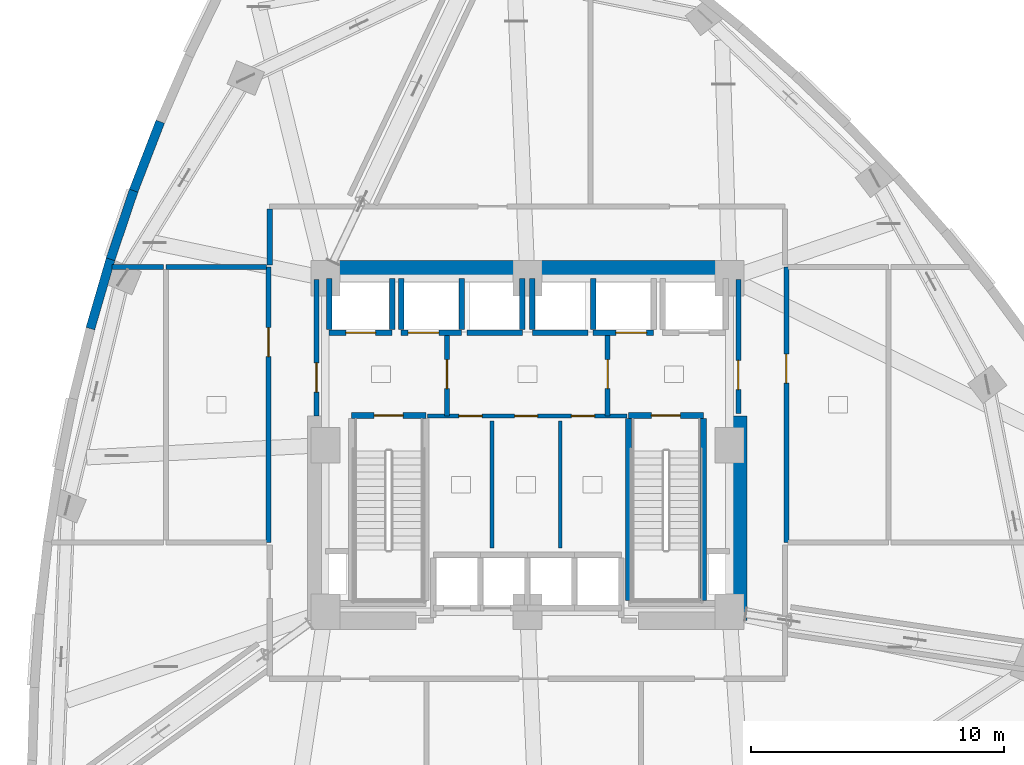
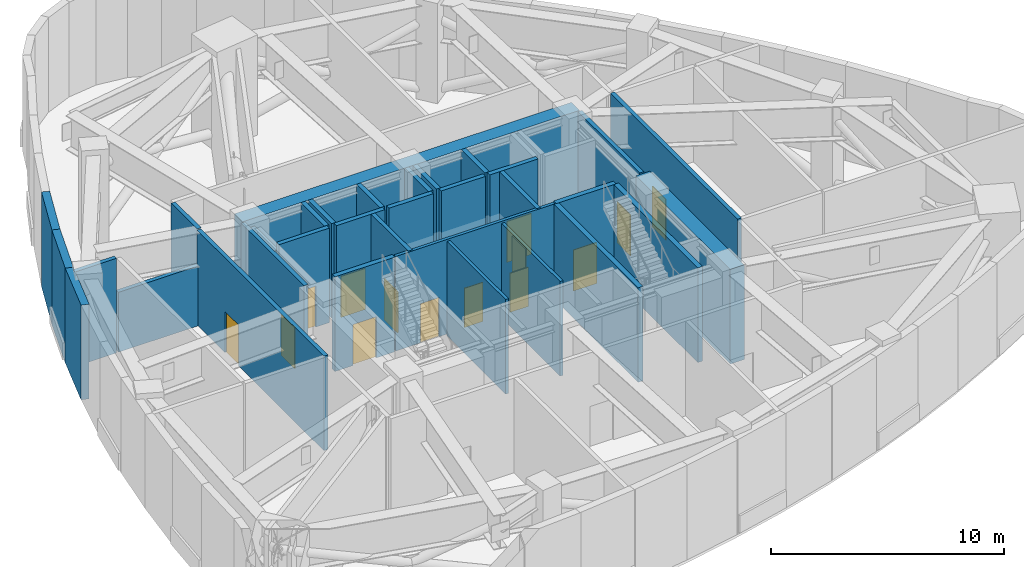
# One storey, part 7 of 13: 33 walls, 14 doors, 14 openings.
"""IFC4 building model written with IfcOpenShell, lengths in metres."""

from ifc_helpers import new_model, si_unit, direction, frame, frame_2d, origin, place, context, subcontext, project, spatial, rectangle, extrude, material, layer, layer_set, type_object, element, fill, save


model = new_model("IFC4")

# Units and contexts
model_context = context("Model", 3, precision=1e-05, world=origin(), true_north=direction((0.0, 1.0)))
body_context = subcontext(model_context, "Body", "Model", "MODEL_VIEW")
ifc_project = project(units=[si_unit("LENGTHUNIT", "METRE"), si_unit("AREAUNIT", "SQUARE_METRE"), si_unit("VOLUMEUNIT", "CUBIC_METRE"), si_unit("PLANEANGLEUNIT", "RADIAN"), si_unit("MASSUNIT", "GRAM", prefix="KILO")], contexts=[model_context])

# Site, building, storey
site_placement = place(None, origin())
site = spatial("IfcSite", under=ifc_project, at=site_placement, CompositionType="ELEMENT")
building_placement = place(site_placement, origin())
building = spatial("IfcBuilding", under=site, at=building_placement, Name="Ndelora Gate Hotel", CompositionType="ELEMENT")
storey_placement = place(building_placement, frame((0.0, 0.0, 83.0)))
storey = spatial("IfcBuildingStorey", under=building, at=storey_placement, Name="L20", CompositionType="ELEMENT", Elevation=83.0)

# Walls
ifc_material_1 = material(Name="Clay Brick Masonry", Category="masonry")
ifc_layer_1 = layer(ifc_material_1, 0.360107421875)
ifc_layer_set_1 = layer_set([ifc_layer_1], Name="Clay Brick Masonry")
wall_type_1 = type_object("IfcWallType", Name="WL-BRICK-360", PredefinedType="SOLIDWALL", material=ifc_layer_set_1)
wall_1_placement = place(storey_placement, frame((-15.5869140625, 10.070556640625, 0.0), z_axis=(0.0, 0.0, 1.0), x_axis=(0.360052654902, 0.932931983425, 0.0)))
element("IfcWall", 1, at=wall_1_placement, inside=storey, type_object=wall_type_1, Name="L20 Tower Brick Pier-and-Spandrel Wall TWR-12", PredefinedType="SOLIDWALL", context=body_context, shape_type="SweptSolid", body=[
    extrude(rectangle(XDim=2.92529296875, YDim=0.360107421875, at=frame_2d((1.462646484375, 0.0))), origin(), (0.0, 0.0, 1.0), 4.9599609375),
])
wall_2_placement = place(storey_placement, frame((-16.5029296875, 7.35595703125, 0.0), z_axis=(0.0, 0.0, 1.0), x_axis=(0.320119808374, 0.947377067638, 0.0)))
element("IfcWall", 2, at=wall_2_placement, inside=storey, type_object=wall_type_1, Name="L20 Tower Brick Pier-and-Spandrel Wall TWR-13", PredefinedType="SOLIDWALL", context=body_context, shape_type="SweptSolid", body=[
    extrude(rectangle(XDim=2.914794921875, YDim=0.360107421875, at=frame_2d((1.45751953125, 0.0))), origin(), (0.0, 0.0, 1.0), 4.9599609375),
])
wall_3_placement = place(storey_placement, frame((-17.30078125, 4.60986328125, 0.0), z_axis=(0.0, 0.0, 1.0), x_axis=(0.279394237696, 0.960176473333, 0.0)))
element("IfcWall", 3, at=wall_3_placement, inside=storey, type_object=wall_type_1, Name="L20 Tower Brick Pier-and-Spandrel Wall TWR-14", PredefinedType="SOLIDWALL", context=body_context, shape_type="SweptSolid", body=[
    extrude(rectangle(XDim=2.909912109375, YDim=0.360107421875, at=frame_2d((1.455078125, 0.0))), origin(), (0.0, 0.0, 1.0), 4.9599609375),
])
ifc_material_2 = material(Name="Concrete C60/75", Category="concrete")
ifc_layer_2 = layer(ifc_material_2, 0.699951171875)
ifc_layer_set_2 = layer_set([ifc_layer_2], Name="Concrete C60/75")
wall_type_2 = type_object("IfcWallType", Name="WL-CORE-700", PredefinedType="SHEAR", material=ifc_layer_set_2)
wall_4_placement = place(storey_placement, frame((-8.35009765625, 6.949951171875, 0.0), z_axis=(0.0, 0.0, 1.0), x_axis=(1.0, 0.0, 0.0)))
element("IfcWall", 4, at=wall_4_placement, inside=storey, type_object=wall_type_2, Name="L20 Core Shear Wall N", PredefinedType="SHEAR", context=body_context, shape_type="SweptSolid", body=[
    extrude(rectangle(XDim=16.7001953125, YDim=0.699951171875, at=frame_2d((8.35009765625, 0.0))), origin(), (0.0, 0.0, 1.0), 4.9599609375),
])
wall_5_placement = place(storey_placement, frame((8.35009765625, -6.949951171875, 0.0), z_axis=(0.0, 0.0, 1.0), x_axis=(0.0, 1.0, 0.0)))
element("IfcWall", 5, at=wall_5_placement, inside=storey, type_object=wall_type_2, Name="L20 Core Shear Wall E", PredefinedType="SHEAR", context=body_context, shape_type="SweptSolid", body=[
    extrude(rectangle(XDim=8.099853515625, YDim=0.699951171875, at=frame_2d((4.0498046875, 0.0))), origin(), (0.0, 0.0, 1.0), 4.9599609375),
])

# Wall, opening, door
ifc_material_3 = material(Name="Concrete C40/50", Category="concrete")
ifc_layer_3 = layer(ifc_material_3, 0.199951171875)
ifc_layer_set_3 = layer_set([ifc_layer_3], Name="Concrete C40/50")
wall_type_3 = type_object("IfcWallType", Name="WL-FIRE-200", PredefinedType="PARTITIONING", material=ifc_layer_set_3)
wall_6_placement = place(storey_placement, frame((-3.179931640625, 1.14990234375, 0.0), z_axis=(0.0, 0.0, 1.0), x_axis=(0.0, 1.0, 0.0)))
wall_6 = element("IfcWall", 6, at=wall_6_placement, inside=storey, type_object=wall_type_3, Name="L20 Interior Wall IW-2", PredefinedType="PARTITIONING", context=body_context, shape_type="SweptSolid", body=[
    extrude(rectangle(XDim=3.300048828125, YDim=0.199951171875, at=frame_2d((1.64990234375, 0.0))), origin(), (0.0, 0.0, 1.0), 4.9599609375),
])
opening_1_placement = place(wall_6_placement, frame((1.080078125, 0.0, 0.0)))
opening_1 = element("IfcOpeningElement", 7, at=opening_1_placement, cuts=wall_6, Name="Opening FD1", PredefinedType="OPENING", context=body_context, shape_type="SweptSolid", body=[
    extrude(rectangle(XDim=1.14990234375, YDim=2.14990234375, at=frame_2d((0.574951171875, 1.074951171875))), frame((0.0, 0.10986328125, 0.0), z_axis=(0.0, -1.0, 0.0), x_axis=(1.0, 0.0, 0.0)), (0.0, 0.0, 1.0), 0.219970703125),
])
ifc_material_4 = material(Name="Fire-Rated Timber-Veneer Steel Core", Category="steel")
door_type_1 = type_object("IfcDoorType", Name="DR-FD60", OperationType="SINGLE_SWING_LEFT", PredefinedType="DOOR", material=ifc_material_4)
door_1_placement = place(opening_1_placement, origin())
door_1 = element("IfcDoor", 8, at=door_1_placement, inside=storey, type_object=door_type_1, Name="L20 Firefighting Lobby West Door", OperationType="SINGLE_SWING_RIGHT", OverallHeight=2.14990234375, OverallWidth=1.14990234375, PredefinedType="DOOR", context=body_context, shape_type="SweptSolid", body=[
    extrude(rectangle(XDim=1.14990234375, YDim=2.14990234375, at=frame_2d((0.574951171875, 1.074951171875))), frame((0.0, 0.02490234375, 0.0), z_axis=(0.0, -1.0, 0.0), x_axis=(1.0, 0.0, 0.0)), (0.0, 0.0, 1.0), 0.050048828125),
])
fill(opening_1, door_1)

wall_7_placement = place(storey_placement, frame((3.179931640625, 1.14990234375, 0.0), z_axis=(0.0, 0.0, 1.0), x_axis=(0.0, 1.0, 0.0)))
wall_7 = element("IfcWall", 9, at=wall_7_placement, inside=storey, type_object=wall_type_3, Name="L20 Interior Wall IW-2", PredefinedType="PARTITIONING", context=body_context, shape_type="SweptSolid", body=[
    extrude(rectangle(XDim=3.300048828125, YDim=0.199951171875, at=frame_2d((1.64990234375, 0.0))), origin(), (0.0, 0.0, 1.0), 4.9599609375),
])
opening_2_placement = place(wall_7_placement, frame((1.080078125, 0.0, 0.0)))
opening_2 = element("IfcOpeningElement", 10, at=opening_2_placement, cuts=wall_7, Name="Opening FD1", PredefinedType="OPENING", context=body_context, shape_type="SweptSolid", body=[
    extrude(rectangle(XDim=1.14990234375, YDim=2.14990234375, at=frame_2d((0.574951171875, 1.074951171875))), frame((0.0, 0.10986328125, 0.0), z_axis=(0.0, -1.0, 0.0), x_axis=(1.0, 0.0, 0.0)), (0.0, 0.0, 1.0), 0.219970703125),
])
door_2_placement = place(opening_2_placement, origin())
door_2 = element("IfcDoor", 11, at=door_2_placement, inside=storey, type_object=door_type_1, Name="L20 Firefighting Lobby East Door", OperationType="SINGLE_SWING_LEFT", OverallHeight=2.14990234375, OverallWidth=1.14990234375, PredefinedType="DOOR", context=body_context, shape_type="SweptSolid", body=[
    extrude(rectangle(XDim=1.14990234375, YDim=2.14990234375, at=frame_2d((0.574951171875, 1.074951171875))), frame((0.0, 0.02490234375, 0.0), z_axis=(0.0, -1.0, 0.0), x_axis=(1.0, 0.0, 0.0)), (0.0, 0.0, 1.0), 0.050048828125),
])
fill(opening_2, door_2)

wall_8_placement = place(storey_placement, frame((-8.35009765625, 1.14990234375, 0.0), z_axis=(0.0, 0.0, 1.0), x_axis=(0.0, 1.0, 0.0)))
wall_8 = element("IfcWall", 12, at=wall_8_placement, inside=storey, type_object=wall_type_3, Name="L20 Interior Wall IW-2", PredefinedType="PARTITIONING", context=body_context, shape_type="SweptSolid", body=[
    extrude(rectangle(XDim=5.400146484375, YDim=0.199951171875, at=frame_2d((2.7001953125, 0.0))), origin(), (0.0, 0.0, 1.0), 4.9599609375),
])
opening_3_placement = place(wall_8_placement, frame((0.949951171875, 0.0, 0.0)))
opening_3 = element("IfcOpeningElement", 13, at=opening_3_placement, cuts=wall_8, Name="Opening FD1", PredefinedType="OPENING", context=body_context, shape_type="SweptSolid", body=[
    extrude(rectangle(XDim=1.14990234375, YDim=2.14990234375, at=frame_2d((0.574951171875, 1.074951171875))), frame((0.0, 0.10986328125, 0.0), z_axis=(0.0, -1.0, 0.0), x_axis=(1.0, 0.0, 0.0)), (0.0, 0.0, 1.0), 0.219970703125),
])
door_3_placement = place(opening_3_placement, origin())
door_3 = element("IfcDoor", 14, at=door_3_placement, inside=storey, type_object=door_type_1, Name="L20 Firefighting Lobby West Corridor Door", OperationType="SINGLE_SWING_LEFT", OverallHeight=2.14990234375, OverallWidth=1.14990234375, PredefinedType="DOOR", context=body_context, shape_type="SweptSolid", body=[
    extrude(rectangle(XDim=1.14990234375, YDim=2.14990234375, at=frame_2d((0.574951171875, 1.074951171875))), frame((0.0, 0.02490234375, 0.0), z_axis=(0.0, -1.0, 0.0), x_axis=(1.0, 0.0, 0.0)), (0.0, 0.0, 1.0), 0.050048828125),
])
fill(opening_3, door_3)

wall_9_placement = place(storey_placement, frame((8.35009765625, 1.25, 0.0), z_axis=(0.0, 0.0, 1.0), x_axis=(0.0, 1.0, 0.0)))
wall_9 = element("IfcWall", 15, at=wall_9_placement, inside=storey, type_object=wall_type_3, Name="L20 Interior Wall IW-2", PredefinedType="PARTITIONING", context=body_context, shape_type="SweptSolid", body=[
    extrude(rectangle(XDim=5.300048828125, YDim=0.199951171875, at=frame_2d((2.64990234375, 0.0))), origin(), (0.0, 0.0, 1.0), 4.9599609375),
])
opening_4_placement = place(wall_9_placement, frame((0.949951171875, 0.0, 0.0)))
opening_4 = element("IfcOpeningElement", 16, at=opening_4_placement, cuts=wall_9, Name="Opening FD1", PredefinedType="OPENING", context=body_context, shape_type="SweptSolid", body=[
    extrude(rectangle(XDim=1.14990234375, YDim=2.14990234375, at=frame_2d((0.574951171875, 1.074951171875))), frame((0.0, 0.10986328125, 0.0), z_axis=(0.0, -1.0, 0.0), x_axis=(1.0, 0.0, 0.0)), (0.0, 0.0, 1.0), 0.219970703125),
])
door_4_placement = place(opening_4_placement, origin())
door_4 = element("IfcDoor", 17, at=door_4_placement, inside=storey, type_object=door_type_1, Name="L20 Firefighting Lobby East Corridor Door", OperationType="SINGLE_SWING_RIGHT", OverallHeight=2.14990234375, OverallWidth=1.14990234375, PredefinedType="DOOR", context=body_context, shape_type="SweptSolid", body=[
    extrude(rectangle(XDim=1.14990234375, YDim=2.14990234375, at=frame_2d((0.574951171875, 1.074951171875))), frame((0.0, 0.02490234375, 0.0), z_axis=(0.0, -1.0, 0.0), x_axis=(1.0, 0.0, 0.0)), (0.0, 0.0, 1.0), 0.050048828125),
])
fill(opening_4, door_4)

# Wall
wall_10_placement = place(storey_placement, frame((-10.320068359375, 7.050048828125, 0.0), z_axis=(0.0, 0.0, 1.0), x_axis=(-1.0, 0.0, 0.0)))
element("IfcWall", 18, at=wall_10_placement, inside=storey, type_object=wall_type_3, Name="L20 Interior Wall IW-2", PredefinedType="PARTITIONING", context=body_context, shape_type="SweptSolid", body=[
    extrude(rectangle(XDim=3.97998046875, YDim=0.199951171875, at=frame_2d((1.989990234375, 0.0))), origin(), (0.0, 0.0, 1.0), 3.139892578125),
])

# Wall, opening, door
wall_11_placement = place(storey_placement, frame((-10.25, -3.85009765625, 0.0), z_axis=(0.0, 0.0, 1.0), x_axis=(0.0, 1.0, 0.0)))
wall_11 = element("IfcWall", 19, at=wall_11_placement, inside=storey, type_object=wall_type_3, Name="L20 Interior Wall IW-2", PredefinedType="PARTITIONING", context=body_context, shape_type="SweptSolid", body=[
    extrude(rectangle(XDim=10.900146484375, YDim=0.199951171875, at=frame_2d((5.4501953125, 0.0))), origin(), (0.0, 0.0, 1.0), 4.9599609375),
])
opening_5_placement = place(wall_11_placement, frame((7.35009765625, 0.0, 0.0)))
opening_5 = element("IfcOpeningElement", 20, at=opening_5_placement, cuts=wall_11, Name="Opening FD1", PredefinedType="OPENING", context=body_context, shape_type="SweptSolid", body=[
    extrude(rectangle(XDim=1.14990234375, YDim=2.14990234375, at=frame_2d((0.574951171875, 1.074951171875))), frame((0.0, 0.10986328125, 0.0), z_axis=(0.0, -1.0, 0.0), x_axis=(1.0, 0.0, 0.0)), (0.0, 0.0, 1.0), 0.219970703125),
])
door_5_placement = place(opening_5_placement, origin())
door_5 = element("IfcDoor", 21, at=door_5_placement, inside=storey, type_object=door_type_1, Name="L20 West Refuge Corridor Fire Door", OperationType="SINGLE_SWING_RIGHT", OverallHeight=2.14990234375, OverallWidth=1.14990234375, PredefinedType="DOOR", context=body_context, shape_type="SweptSolid", body=[
    extrude(rectangle(XDim=1.14990234375, YDim=2.14990234375, at=frame_2d((0.574951171875, 1.074951171875))), frame((0.0, 0.02490234375, 0.0), z_axis=(0.0, -1.0, 0.0), x_axis=(1.0, 0.0, 0.0)), (0.0, 0.0, 1.0), 0.050048828125),
])
fill(opening_5, door_5)

wall_12_placement = place(storey_placement, frame((10.25, 7.050048828125, 0.0), z_axis=(0.0, 0.0, 1.0), x_axis=(0.0, -1.0, 0.0)))
wall_12 = element("IfcWall", 22, at=wall_12_placement, inside=storey, type_object=wall_type_3, Name="L20 Interior Wall IW-2", PredefinedType="PARTITIONING", context=body_context, shape_type="SweptSolid", body=[
    extrude(rectangle(XDim=10.900146484375, YDim=0.199951171875, at=frame_2d((5.4501953125, 0.0))), origin(), (0.0, 0.0, 1.0), 4.9599609375),
])
opening_6_placement = place(wall_12_placement, frame((3.449951171875, 0.0, 0.0)))
opening_6 = element("IfcOpeningElement", 23, at=opening_6_placement, cuts=wall_12, Name="Opening FD1", PredefinedType="OPENING", context=body_context, shape_type="SweptSolid", body=[
    extrude(rectangle(XDim=1.14990234375, YDim=2.14990234375, at=frame_2d((0.574951171875, 1.074951171875))), frame((0.0, 0.10986328125, 0.0), z_axis=(0.0, -1.0, 0.0), x_axis=(1.0, 0.0, 0.0)), (0.0, 0.0, 1.0), 0.219970703125),
])
door_6_placement = place(opening_6_placement, origin())
door_6 = element("IfcDoor", 24, at=door_6_placement, inside=storey, type_object=door_type_1, Name="L20 East Refuge Corridor Fire Door", OperationType="SINGLE_SWING_LEFT", OverallHeight=2.14990234375, OverallWidth=1.14990234375, PredefinedType="DOOR", context=body_context, shape_type="SweptSolid", body=[
    extrude(rectangle(XDim=1.14990234375, YDim=2.14990234375, at=frame_2d((0.574951171875, 1.074951171875))), frame((0.0, 0.02490234375, 0.0), z_axis=(0.0, -1.0, 0.0), x_axis=(1.0, 0.0, 0.0)), (0.0, 0.0, 1.0), 0.050048828125),
])
fill(opening_6, door_6)

# Walls
wall_13_placement = place(storey_placement, frame((-14.39990234375, 7.050048828125, 0.0), z_axis=(0.0, 0.0, 1.0), x_axis=(-1.0, 0.0, 0.0)))
element("IfcWall", 25, at=wall_13_placement, inside=storey, type_object=wall_type_3, Name="L20 Interior Wall IW-2", PredefinedType="PARTITIONING", context=body_context, shape_type="SweptSolid", body=[
    extrude(rectangle(XDim=2.045166015625, YDim=0.199951171875, at=frame_2d((1.0224609375, 0.0))), origin(), (0.0, 0.0, 1.0), 4.9599609375),
])
wall_14_placement = place(storey_placement, frame((-10.199951171875, 9.35009765625, 0.0), z_axis=(0.0, 0.0, 1.0), x_axis=(0.0, -1.0, 0.0)))
element("IfcWall", 26, at=wall_14_placement, inside=storey, type_object=wall_type_3, Name="L20 Interior Wall IW-2", PredefinedType="PARTITIONING", context=body_context, shape_type="SweptSolid", body=[
    extrude(rectangle(XDim=2.22998046875, YDim=0.199951171875, at=frame_2d((1.114990234375, 0.0))), origin(), (0.0, 0.0, 1.0), 4.9599609375),
])

# Wall, openings, doors
ifc_material_5 = material(Name="Fire-Rated Gypsum Stud Partition", Category="gypsum")
ifc_layer_4 = layer(ifc_material_5, 0.14990234375)
ifc_layer_set_4 = layer_set([ifc_layer_4], Name="Fire-Rated Gypsum Stud Partition")
wall_type_4 = type_object("IfcWallType", Name="WL-PART-150", PredefinedType="PARTITIONING", material=ifc_layer_set_4)
wall_15_placement = place(storey_placement, frame((3.949951171875, 1.14990234375, 0.0), z_axis=(0.0, 0.0, 1.0), x_axis=(-1.0, 0.0, 0.0)))
wall_15 = element("IfcWall", 27, at=wall_15_placement, inside=storey, type_object=wall_type_4, Name="L20 Interior Wall IW-5", PredefinedType="PARTITIONING", context=body_context, shape_type="SweptSolid", body=[
    extrude(rectangle(XDim=7.89990234375, YDim=0.14990234375, at=frame_2d((3.949951171875, 0.0))), origin(), (0.0, 0.0, 1.0), 4.9599609375),
])
opening_7_placement = place(wall_15_placement, frame((5.739990234375, 0.0, 0.0)))
opening_7 = element("IfcOpeningElement", 28, at=opening_7_placement, cuts=wall_15, Name="Opening D04", PredefinedType="OPENING", context=body_context, shape_type="SweptSolid", body=[
    extrude(rectangle(XDim=0.919921875, YDim=2.050048828125, at=frame_2d((0.4599609375, 1.02490234375))), frame((0.0, 0.0849609375, 0.0), z_axis=(0.0, -1.0, 0.0), x_axis=(1.0, 0.0, 0.0)), (0.0, 0.0, 1.0), 0.169921875),
])
opening_8_placement = place(wall_15_placement, frame((3.5400390625, 0.0, 0.0)))
opening_8 = element("IfcOpeningElement", 29, at=opening_8_placement, cuts=wall_15, Name="Opening D04", PredefinedType="OPENING", context=body_context, shape_type="SweptSolid", body=[
    extrude(rectangle(XDim=0.919921875, YDim=2.050048828125, at=frame_2d((0.4599609375, 1.02490234375))), frame((0.0, 0.0849609375, 0.0), z_axis=(0.0, -1.0, 0.0), x_axis=(1.0, 0.0, 0.0)), (0.0, 0.0, 1.0), 0.169921875),
])
opening_9_placement = place(wall_15_placement, frame((1.2900390625, 0.0, 0.0)))
opening_9 = element("IfcOpeningElement", 30, at=opening_9_placement, cuts=wall_15, Name="Opening D04", PredefinedType="OPENING", context=body_context, shape_type="SweptSolid", body=[
    extrude(rectangle(XDim=0.919921875, YDim=2.050048828125, at=frame_2d((0.4599609375, 1.02490234375))), frame((0.0, 0.0849609375, 0.0), z_axis=(0.0, -1.0, 0.0), x_axis=(1.0, 0.0, 0.0)), (0.0, 0.0, 1.0), 0.169921875),
])
ifc_material_6 = material(Name="Painted Steel Core Service Door", Category="steel")
door_type_2 = type_object("IfcDoorType", Name="DR-SER-920", OperationType="SINGLE_SWING_LEFT", PredefinedType="DOOR", material=ifc_material_6)
door_7_placement = place(opening_7_placement, origin())
door_7 = element("IfcDoor", 31, at=door_7_placement, inside=storey, type_object=door_type_2, Name="L20 Core Cleaners Store Door", OperationType="SINGLE_SWING_LEFT", OverallHeight=2.050048828125, OverallWidth=0.919921875, PredefinedType="DOOR", context=body_context, shape_type="SweptSolid", body=[
    extrude(rectangle(XDim=0.919921875, YDim=2.050048828125, at=frame_2d((0.4599609375, 1.02490234375))), frame((0.0, 0.02490234375, 0.0), z_axis=(0.0, -1.0, 0.0), x_axis=(1.0, 0.0, 0.0)), (0.0, 0.0, 1.0), 0.050048828125),
])
fill(opening_7, door_7)
door_8_placement = place(opening_8_placement, origin())
door_8 = element("IfcDoor", 32, at=door_8_placement, inside=storey, type_object=door_type_2, Name="L20 Core Telecoms Equipment Room Door", OperationType="SINGLE_SWING_RIGHT", OverallHeight=2.050048828125, OverallWidth=0.919921875, PredefinedType="DOOR", context=body_context, shape_type="SweptSolid", body=[
    extrude(rectangle(XDim=0.919921875, YDim=2.050048828125, at=frame_2d((0.4599609375, 1.02490234375))), frame((0.0, 0.02490234375, 0.0), z_axis=(0.0, -1.0, 0.0), x_axis=(1.0, 0.0, 0.0)), (0.0, 0.0, 1.0), 0.050048828125),
])
fill(opening_8, door_8)
door_9_placement = place(opening_9_placement, origin())
door_9 = element("IfcDoor", 33, at=door_9_placement, inside=storey, type_object=door_type_2, Name="L20 Core Electrical Metering Room Door", OperationType="SINGLE_SWING_LEFT", OverallHeight=2.050048828125, OverallWidth=0.919921875, PredefinedType="DOOR", context=body_context, shape_type="SweptSolid", body=[
    extrude(rectangle(XDim=0.919921875, YDim=2.050048828125, at=frame_2d((0.4599609375, 1.02490234375))), frame((0.0, 0.02490234375, 0.0), z_axis=(0.0, -1.0, 0.0), x_axis=(1.0, 0.0, 0.0)), (0.0, 0.0, 1.0), 0.050048828125),
])
fill(opening_9, door_9)

# Walls
for number, where, z_axis, x_axis, name in (
    (34, (-1.39990234375, -4.080078125, 0.0), (0.0, 0.0, 1.0), (0.0, 1.0, 0.0), "L20 Interior Wall IW-5"),
    (35, (1.300048828125, -4.080078125, 0.0), (0.0, 0.0, 1.0), (0.0, 1.0, 0.0), "L20 Interior Wall IW-5"),
):
    element("IfcWall", number, at=place(storey_placement, frame(where, z_axis=z_axis, x_axis=x_axis)), inside=storey, type_object=wall_type_4, Name=name, PredefinedType="PARTITIONING", context=body_context, shape_type="SweptSolid", body=[
        extrude(rectangle(XDim=5.030029296875, YDim=0.14990234375, at=frame_2d((2.51513671875, 0.0))), origin(), (0.0, 0.0, 1.0), 4.9599609375),
    ])

# Wall, opening, door
ifc_layer_5 = layer(ifc_material_3, 0.219970703125)
ifc_layer_set_5 = layer_set([ifc_layer_5], Name="Concrete C40/50")
wall_type_5 = type_object("IfcWallType", Name="WL-SHAFT-220", PredefinedType="PARTITIONING", material=ifc_layer_set_5)
wall_16_placement = place(storey_placement, frame((-7.85009765625, 4.449951171875, 0.0), z_axis=(0.0, 0.0, 1.0), x_axis=(1.0, 0.0, 0.0)))
wall_16 = element("IfcWall", 36, at=wall_16_placement, inside=storey, type_object=wall_type_5, Name="L20 Interior Wall IW-1", PredefinedType="PARTITIONING", context=body_context, shape_type="SweptSolid", body=[
    extrude(rectangle(XDim=2.5, YDim=0.219970703125, at=frame_2d((1.25, 0.0))), origin(), (0.0, 0.0, 1.0), 4.9599609375),
])
opening_10_placement = place(wall_16_placement, frame((0.659912109375, 0.0, 0.0)))
opening_10 = element("IfcOpeningElement", 37, at=opening_10_placement, cuts=wall_16, Name="Opening LD5", PredefinedType="OPENING", context=body_context, shape_type="SweptSolid", body=[
    extrude(rectangle(XDim=1.179931640625, YDim=2.14990234375, at=frame_2d((0.58984375, 1.074951171875))), frame((0.0, 0.1201171875, 0.0), z_axis=(0.0, -1.0, 0.0), x_axis=(1.0, 0.0, 0.0)), (0.0, 0.0, 1.0), 0.239990234375),
])
ifc_material_7 = material(Name="Firefighting Lift Stainless Sliding Landing Door", Category="metal")
door_type_3 = type_object("IfcDoorType", Name="DR-LD5", OperationType="DOUBLE_DOOR_SLIDING", PredefinedType="DOOR", material=ifc_material_7)
door_10_placement = place(opening_10_placement, origin())
door_10 = element("IfcDoor", 38, at=door_10_placement, inside=storey, type_object=door_type_3, Name="L20 Lift Landing Sliding Door FFL1", OperationType="DOUBLE_DOOR_SLIDING", OverallHeight=2.14990234375, OverallWidth=1.179931640625, PredefinedType="DOOR", context=body_context, shape_type="SweptSolid", body=[
    extrude(rectangle(XDim=1.179931640625, YDim=2.14990234375, at=frame_2d((0.58984375, 1.074951171875))), frame((0.0, 0.02490234375, 0.0), z_axis=(0.0, -1.0, 0.0), x_axis=(1.0, 0.0, 0.0)), (0.0, 0.0, 1.0), 0.050048828125),
])
fill(opening_10, door_10)

# Walls
wall_17_placement = place(storey_placement, frame((-7.85009765625, 4.570068359375, 0.0), z_axis=(0.0, 0.0, 1.0), x_axis=(0.0, 1.0, 0.0)))
element("IfcWall", 39, at=wall_17_placement, inside=storey, type_object=wall_type_5, Name="L20 Interior Wall IW-1", PredefinedType="PARTITIONING", context=body_context, shape_type="SweptSolid", body=[
    extrude(rectangle(XDim=2.030029296875, YDim=0.219970703125, at=frame_2d((1.01513671875, 0.0))), origin(), (0.0, 0.0, 1.0), 4.5400390625),
])
wall_18_placement = place(storey_placement, frame((-5.35009765625, 4.570068359375, 0.0), z_axis=(0.0, 0.0, 1.0), x_axis=(0.0, 1.0, 0.0)))
element("IfcWall", 40, at=wall_18_placement, inside=storey, type_object=wall_type_5, Name="L20 Interior Wall IW-1", PredefinedType="PARTITIONING", context=body_context, shape_type="SweptSolid", body=[
    extrude(rectangle(XDim=2.030029296875, YDim=0.219970703125, at=frame_2d((1.01513671875, 0.0))), origin(), (0.0, 0.0, 1.0), 4.9599609375),
])

# Wall, opening, door
wall_19_placement = place(storey_placement, frame((-5.0, 4.449951171875, 0.0), z_axis=(0.0, 0.0, 1.0), x_axis=(1.0, 0.0, 0.0)))
wall_19 = element("IfcWall", 41, at=wall_19_placement, inside=storey, type_object=wall_type_5, Name="L20 Interior Wall IW-1", PredefinedType="PARTITIONING", context=body_context, shape_type="SweptSolid", body=[
    extrude(rectangle(XDim=2.39990234375, YDim=0.219970703125, at=frame_2d((1.199951171875, 0.0))), origin(), (0.0, 0.0, 1.0), 4.9599609375),
])
opening_11_placement = place(wall_19_placement, frame((0.280029296875, 0.0, 0.0)))
opening_11 = element("IfcOpeningElement", 42, at=opening_11_placement, cuts=wall_19, Name="Opening LD6", PredefinedType="OPENING", context=body_context, shape_type="SweptSolid", body=[
    extrude(rectangle(XDim=1.219970703125, YDim=2.14990234375, at=frame_2d((0.60986328125, 1.074951171875))), frame((0.0, 0.1201171875, 0.0), z_axis=(0.0, -1.0, 0.0), x_axis=(1.0, 0.0, 0.0)), (0.0, 0.0, 1.0), 0.239990234375),
])
ifc_material_8 = material(Name="Heavy-Duty Service Lift Sliding Landing Door", Category="wood")
door_type_4 = type_object("IfcDoorType", Name="DR-LD6", OperationType="DOUBLE_DOOR_SLIDING", PredefinedType="DOOR", material=ifc_material_8)
door_11_placement = place(opening_11_placement, origin())
door_11 = element("IfcDoor", 43, at=door_11_placement, inside=storey, type_object=door_type_4, Name="L20 Lift Landing Sliding Door SVL1", OperationType="DOUBLE_DOOR_SLIDING", OverallHeight=2.14990234375, OverallWidth=1.219970703125, PredefinedType="DOOR", context=body_context, shape_type="SweptSolid", body=[
    extrude(rectangle(XDim=1.219970703125, YDim=2.14990234375, at=frame_2d((0.60986328125, 1.074951171875))), frame((0.0, 0.02490234375, 0.0), z_axis=(0.0, -1.0, 0.0), x_axis=(1.0, 0.0, 0.0)), (0.0, 0.0, 1.0), 0.050048828125),
])
fill(opening_11, door_11)

# Walls
for number, where, z_axis, x_axis, name in (
    (44, (-5.0, 4.570068359375, 0.0), (0.0, 0.0, 1.0), (0.0, 1.0, 0.0), "L20 Interior Wall IW-1"),
    (45, (-2.60009765625, 4.570068359375, 0.0), (0.0, 0.0, 1.0), (0.0, 1.0, 0.0), "L20 Interior Wall IW-1"),
):
    element("IfcWall", number, at=place(storey_placement, frame(where, z_axis=z_axis, x_axis=x_axis)), inside=storey, type_object=wall_type_5, Name=name, PredefinedType="PARTITIONING", context=body_context, shape_type="SweptSolid", body=[
        extrude(rectangle(XDim=2.030029296875, YDim=0.219970703125, at=frame_2d((1.01513671875, 0.0))), origin(), (0.0, 0.0, 1.0), 4.9599609375),
    ])

# Wall, opening, door
wall_20_placement = place(storey_placement, frame((2.60009765625, 4.449951171875, 0.0), z_axis=(0.0, 0.0, 1.0), x_axis=(1.0, 0.0, 0.0)))
wall_20 = element("IfcWall", 46, at=wall_20_placement, inside=storey, type_object=wall_type_5, Name="L20 Interior Wall IW-1", PredefinedType="PARTITIONING", context=body_context, shape_type="SweptSolid", body=[
    extrude(rectangle(XDim=2.39990234375, YDim=0.219970703125, at=frame_2d((1.199951171875, 0.0))), origin(), (0.0, 0.0, 1.0), 4.9599609375),
])
opening_12_placement = place(wall_20_placement, frame((0.89990234375, 0.0, 0.0)))
opening_12 = element("IfcOpeningElement", 47, at=opening_12_placement, cuts=wall_20, Name="Opening LD6", PredefinedType="OPENING", context=body_context, shape_type="SweptSolid", body=[
    extrude(rectangle(XDim=1.219970703125, YDim=2.14990234375, at=frame_2d((0.60986328125, 1.074951171875))), frame((0.0, 0.1201171875, 0.0), z_axis=(0.0, -1.0, 0.0), x_axis=(1.0, 0.0, 0.0)), (0.0, 0.0, 1.0), 0.239990234375),
])
door_12_placement = place(opening_12_placement, origin())
door_12 = element("IfcDoor", 48, at=door_12_placement, inside=storey, type_object=door_type_4, Name="L20 Lift Landing Sliding Door SVL2", OperationType="DOUBLE_DOOR_SLIDING", OverallHeight=2.14990234375, OverallWidth=1.219970703125, PredefinedType="DOOR", context=body_context, shape_type="SweptSolid", body=[
    extrude(rectangle(XDim=1.219970703125, YDim=2.14990234375, at=frame_2d((0.60986328125, 1.074951171875))), frame((0.0, 0.02490234375, 0.0), z_axis=(0.0, -1.0, 0.0), x_axis=(1.0, 0.0, 0.0)), (0.0, 0.0, 1.0), 0.050048828125),
])
fill(opening_12, door_12)

# Walls
wall_21_placement = place(storey_placement, frame((2.60009765625, 4.570068359375, 0.0), z_axis=(0.0, 0.0, 1.0), x_axis=(0.0, 1.0, 0.0)))
element("IfcWall", 49, at=wall_21_placement, inside=storey, type_object=wall_type_5, Name="L20 Interior Wall IW-1", PredefinedType="PARTITIONING", context=body_context, shape_type="SweptSolid", body=[
    extrude(rectangle(XDim=2.030029296875, YDim=0.219970703125, at=frame_2d((1.01513671875, 0.0))), origin(), (0.0, 0.0, 1.0), 4.9599609375),
])
wall_22_placement = place(storey_placement, frame((-2.39990234375, 4.449951171875, 0.0), z_axis=(0.0, 0.0, 1.0), x_axis=(1.0, 0.0, 0.0)))
element("IfcWall", 50, at=wall_22_placement, inside=storey, type_object=wall_type_5, Name="L20 Interior Wall IW-1", PredefinedType="PARTITIONING", context=body_context, shape_type="SweptSolid", body=[
    extrude(rectangle(XDim=2.199951171875, YDim=0.219970703125, at=frame_2d((1.10009765625, 0.0))), origin(), (0.0, 0.0, 1.0), 4.9599609375),
])
wall_23_placement = place(storey_placement, frame((-0.199951171875, 4.570068359375, 0.0), z_axis=(0.0, 0.0, 1.0), x_axis=(0.0, 1.0, 0.0)))
element("IfcWall", 51, at=wall_23_placement, inside=storey, type_object=wall_type_5, Name="L20 Interior Wall IW-1", PredefinedType="PARTITIONING", context=body_context, shape_type="SweptSolid", body=[
    extrude(rectangle(XDim=2.030029296875, YDim=0.219970703125, at=frame_2d((1.01513671875, 0.0))), origin(), (0.0, 0.0, 1.0), 4.9599609375),
])
wall_24_placement = place(storey_placement, frame((0.199951171875, 4.449951171875, 0.0), z_axis=(0.0, 0.0, 1.0), x_axis=(1.0, 0.0, 0.0)))
element("IfcWall", 52, at=wall_24_placement, inside=storey, type_object=wall_type_5, Name="L20 Interior Wall IW-1", PredefinedType="PARTITIONING", context=body_context, shape_type="SweptSolid", body=[
    extrude(rectangle(XDim=2.199951171875, YDim=0.219970703125, at=frame_2d((1.10009765625, 0.0))), origin(), (0.0, 0.0, 1.0), 4.9599609375),
])
wall_25_placement = place(storey_placement, frame((0.199951171875, 4.570068359375, 0.0), z_axis=(0.0, 0.0, 1.0), x_axis=(0.0, 1.0, 0.0)))
element("IfcWall", 53, at=wall_25_placement, inside=storey, type_object=wall_type_5, Name="L20 Interior Wall IW-1", PredefinedType="PARTITIONING", context=body_context, shape_type="SweptSolid", body=[
    extrude(rectangle(XDim=2.030029296875, YDim=0.219970703125, at=frame_2d((1.01513671875, 0.0))), origin(), (0.0, 0.0, 1.0), 4.9599609375),
])

# Wall, opening, door
ifc_material_9 = material(Name="Concrete C50/60", Category="concrete")
ifc_layer_6 = layer(ifc_material_9, 0.239990234375)
ifc_layer_set_6 = layer_set([ifc_layer_6], Name="Concrete C50/60")
wall_type_6 = type_object("IfcWallType", Name="WL-STAIR-240", PredefinedType="SHEAR", material=ifc_layer_set_6)
wall_26_placement = place(storey_placement, frame((-6.969970703125, 1.169921875, 0.0), z_axis=(0.0, 0.0, 1.0), x_axis=(1.0, 0.0, 0.0)))
wall_26 = element("IfcWall", 54, at=wall_26_placement, inside=storey, type_object=wall_type_6, Name="L20 Stair Core Shear Wall SW-ST", PredefinedType="SHEAR", context=body_context, shape_type="SweptSolid", body=[
    extrude(rectangle(XDim=2.9599609375, YDim=0.239990234375, at=frame_2d((1.47998046875, 0.0))), origin(), (0.0, 0.0, 1.0), 4.9599609375),
])
opening_13_placement = place(wall_26_placement, frame((0.89990234375, 0.0, 0.0)))
opening_13 = element("IfcOpeningElement", 55, at=opening_13_placement, cuts=wall_26, Name="Opening FD1", PredefinedType="OPENING", context=body_context, shape_type="SweptSolid", body=[
    extrude(rectangle(XDim=1.14990234375, YDim=2.14990234375, at=frame_2d((0.574951171875, 1.074951171875))), frame((0.0, 0.1298828125, 0.0), z_axis=(0.0, -1.0, 0.0), x_axis=(1.0, 0.0, 0.0)), (0.0, 0.0, 1.0), 0.260009765625),
])
door_13_placement = place(opening_13_placement, origin())
door_13 = element("IfcDoor", 56, at=door_13_placement, inside=storey, type_object=door_type_1, Name="L20 Exit Stair ST4 Door", OperationType="SINGLE_SWING_LEFT", OverallHeight=2.14990234375, OverallWidth=1.14990234375, PredefinedType="DOOR", context=body_context, shape_type="SweptSolid", body=[
    extrude(rectangle(XDim=1.14990234375, YDim=2.14990234375, at=frame_2d((0.574951171875, 1.074951171875))), frame((0.0, 0.02490234375, 0.0), z_axis=(0.0, -1.0, 0.0), x_axis=(1.0, 0.0, 0.0)), (0.0, 0.0, 1.0), 0.050048828125),
])
fill(opening_13, door_13)

# Walls
for number, where, z_axis, x_axis, name in (
    (57, (4.010009765625, -6.159912109375, 0.0), (0.0, 0.0, 1.0), (0.0, 1.0, 0.0), "L20 Stair Core Shear Wall SW-ST"),
    (58, (6.969970703125, -6.159912109375, 0.0), (0.0, 0.0, 1.0), (0.0, 1.0, 0.0), "L20 Stair Core Shear Wall SW-ST"),
):
    element("IfcWall", number, at=place(storey_placement, frame(where, z_axis=z_axis, x_axis=x_axis)), inside=storey, type_object=wall_type_6, Name=name, PredefinedType="SHEAR", context=body_context, shape_type="SweptSolid", body=[
        extrude(rectangle(XDim=7.219970703125, YDim=0.239990234375, at=frame_2d((3.60986328125, 0.0))), origin(), (0.0, 0.0, 1.0), 4.9599609375),
    ])

# Wall, opening, door
wall_27_placement = place(storey_placement, frame((4.010009765625, 1.169921875, 0.0), z_axis=(0.0, 0.0, 1.0), x_axis=(1.0, 0.0, 0.0)))
wall_27 = element("IfcWall", 59, at=wall_27_placement, inside=storey, type_object=wall_type_6, Name="L20 Stair Core Shear Wall SW-ST", PredefinedType="SHEAR", context=body_context, shape_type="SweptSolid", body=[
    extrude(rectangle(XDim=2.9599609375, YDim=0.239990234375, at=frame_2d((1.47998046875, 0.0))), origin(), (0.0, 0.0, 1.0), 4.9599609375),
])
opening_14_placement = place(wall_27_placement, frame((0.89990234375, 0.0, 0.0)))
opening_14 = element("IfcOpeningElement", 60, at=opening_14_placement, cuts=wall_27, Name="Opening FD1", PredefinedType="OPENING", context=body_context, shape_type="SweptSolid", body=[
    extrude(rectangle(XDim=1.14990234375, YDim=2.14990234375, at=frame_2d((0.574951171875, 1.074951171875))), frame((0.0, 0.1298828125, 0.0), z_axis=(0.0, -1.0, 0.0), x_axis=(1.0, 0.0, 0.0)), (0.0, 0.0, 1.0), 0.260009765625),
])
door_14_placement = place(opening_14_placement, origin())
door_14 = element("IfcDoor", 61, at=door_14_placement, inside=storey, type_object=door_type_1, Name="L20 Exit Stair ST5 Door", OperationType="SINGLE_SWING_RIGHT", OverallHeight=2.14990234375, OverallWidth=1.14990234375, PredefinedType="DOOR", context=body_context, shape_type="SweptSolid", body=[
    extrude(rectangle(XDim=1.14990234375, YDim=2.14990234375, at=frame_2d((0.574951171875, 1.074951171875))), frame((0.0, 0.02490234375, 0.0), z_axis=(0.0, -1.0, 0.0), x_axis=(1.0, 0.0, 0.0)), (0.0, 0.0, 1.0), 0.050048828125),
])
fill(opening_14, door_14)

save(model, "model.ifc")
